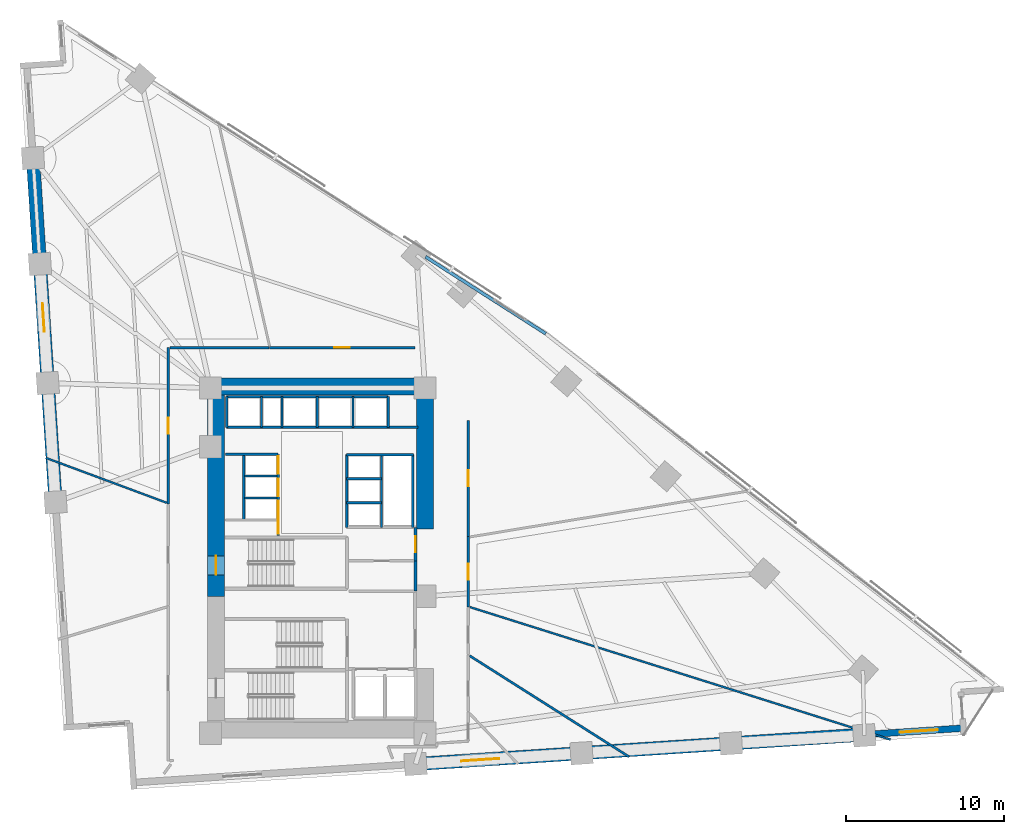
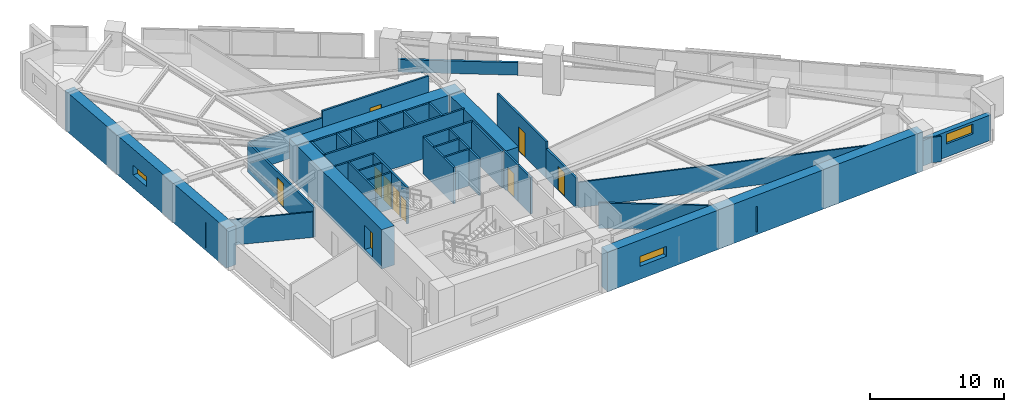
# One storey, part 12 of 15: 37 walls, 10 doors, 3 windows, 13 openings.
"""IFC4 building model written with IfcOpenShell, lengths in metres."""

from ifc_helpers import new_model, si_unit, direction, frame, frame_2d, origin, place, context, subcontext, project, spatial, rectangle, extrude, material, layer, layer_set, type_object, element, fill, save


model = new_model("IFC4")

# Units and contexts
model_context = context("Model", 3, precision=1e-05, world=origin(), true_north=direction((0.0, 1.0)))
body_context = subcontext(model_context, "Body", "Model", "MODEL_VIEW")
ifc_project = project(units=[si_unit("LENGTHUNIT", "METRE"), si_unit("AREAUNIT", "SQUARE_METRE"), si_unit("VOLUMEUNIT", "CUBIC_METRE"), si_unit("PLANEANGLEUNIT", "RADIAN"), si_unit("MASSUNIT", "GRAM", prefix="KILO")], contexts=[model_context])

# Site, building, storey
site_placement = place(None, origin())
site = spatial("IfcSite", under=ifc_project, at=site_placement, CompositionType="ELEMENT")
building_placement = place(site_placement, origin())
building = spatial("IfcBuilding", under=site, at=building_placement, Name="Narakoshi Arena Tower", CompositionType="ELEMENT")
storey_placement = place(building_placement, frame((0.0, 0.0, 70.5)))
storey = spatial("IfcBuildingStorey", under=building, at=storey_placement, Name="L18", CompositionType="ELEMENT", Elevation=70.5)

# Wall, opening, door
ifc_material_1 = material(Name="Concrete C60/75", Category="concrete")
ifc_layer_1 = layer(ifc_material_1, 1.10009765625)
ifc_layer_set_1 = layer_set([ifc_layer_1], Name="Concrete C60/75")
wall_type_1 = type_object("IfcWallType", Name="WL-CORE-1100", PredefinedType="SHEAR", material=ifc_layer_set_1)
wall_1_placement = place(storey_placement, frame((72.35009765625, 43.35009765625, -0.260009765625), z_axis=(0.0, 0.0, 1.0), x_axis=(0.0, 1.0, 0.0)))
wall_1 = element("IfcWall", 1, at=wall_1_placement, inside=storey, type_object=wall_type_1, Name="L18 Main Core Shear Wall CW-MN-W", PredefinedType="SHEAR", context=body_context, shape_type="SweptSolid", body=[
    extrude(rectangle(XDim=12.699951171875, YDim=1.10009765625, at=frame_2d((6.35009765625, 0.0))), origin(), (0.0, 0.0, 1.0), 3.60009765625),
])
opening_1_placement = place(wall_1_placement, frame((1.35009765625, 0.0, 0.260009765625)))
opening_1 = element("IfcOpeningElement", 2, at=opening_1_placement, cuts=wall_1, Name="Opening D-03", PredefinedType="OPENING", context=body_context, shape_type="SweptSolid", body=[
    extrude(rectangle(XDim=1.199951171875, YDim=2.199951171875, at=frame_2d((0.60009765625, 1.10009765625))), frame((0.0, 0.56005859375, 0.0), z_axis=(0.0, -1.0, 0.0), x_axis=(1.0, 0.0, 0.0)), (0.0, 0.0, 1.0), 1.1201171875),
])
ifc_material_2 = material(Name="Painted galvanized steel", Category="steel")
door_type_1 = type_object("IfcDoorType", Name="DR-STR-1200", OperationType="NOTDEFINED", PredefinedType="USERDEFINED", material=ifc_material_2)
door_1_placement = place(opening_1_placement, frame((1.199951171875, 0.0, 0.0), z_axis=(0.0, 0.0, 1.0), x_axis=(-1.0, 0.0, 0.0)))
door_1 = element("IfcDoor", 3, at=door_1_placement, inside=storey, type_object=door_type_1, Name="DR-L18-007", ObjectType="EXITDOOR", OperationType="SINGLE_SWING_LEFT", OverallHeight=2.199951171875, OverallWidth=1.199951171875, PredefinedType="USERDEFINED", context=body_context, shape_type="SweptSolid", body=[
    extrude(rectangle(XDim=1.199951171875, YDim=2.199951171875, at=frame_2d((0.60009765625, 1.10009765625))), frame((0.0, 0.02490234375, 0.0), z_axis=(0.0, -1.0, 0.0), x_axis=(1.0, 0.0, 0.0)), (0.0, 0.0, 1.0), 0.050048828125),
])
fill(opening_1, door_1)

# Walls
wall_2_placement = place(storey_placement, frame((71.800048828125, 56.60009765625, -0.260009765625), z_axis=(0.0, 0.0, 1.0), x_axis=(1.0, 0.0, 0.0)))
element("IfcWall", 4, at=wall_2_placement, inside=storey, type_object=wall_type_1, Name="L18 Main Core Shear Wall CW-MN-N", PredefinedType="SHEAR", context=body_context, shape_type="SweptSolid", body=[
    extrude(rectangle(XDim=14.300048828125, YDim=1.10009765625, at=frame_2d((7.14990234375, 0.0))), origin(), (0.0, 0.0, 1.0), 3.60009765625),
])
wall_3_placement = place(storey_placement, frame((85.550048828125, 47.60009765625, -0.260009765625), z_axis=(0.0, 0.0, 1.0), x_axis=(0.0, 1.0, 0.0)))
element("IfcWall", 5, at=wall_3_placement, inside=storey, type_object=wall_type_1, Name="L18 Main Core Shear Wall CW-MN-E", PredefinedType="SHEAR", context=body_context, shape_type="SweptSolid", body=[
    extrude(rectangle(XDim=8.449951171875, YDim=1.10009765625, at=frame_2d((4.22509765625, 0.0))), origin(), (0.0, 0.0, 1.0), 3.60009765625),
])

# Wall, opening, door
ifc_material_3 = material(Name="Gypsum plasterboard fire-rated partition")
ifc_layer_2 = layer(ifc_material_3, 0.1650390625)
ifc_layer_set_2 = layer_set([ifc_layer_2], Name="Gypsum plasterboard fire-rated partition")
wall_type_2 = type_object("IfcWallType", Name="WL-CORR-165", PredefinedType="PARTITIONING", material=ifc_layer_set_2)
wall_4_placement = place(storey_placement, frame((84.949951171875, 45.580078125, 0.0), z_axis=(0.0, 0.0, 1.0), x_axis=(0.0, 1.0, 0.0)))
wall_4 = element("IfcWall", 6, at=wall_4_placement, inside=storey, type_object=wall_type_2, Name="L18 Core Wall CPAS-E", PredefinedType="PARTITIONING", context=body_context, shape_type="SweptSolid", body=[
    extrude(rectangle(XDim=2.119873046875, YDim=0.1650390625, at=frame_2d((1.06005859375, 0.0))), origin(), (0.0, 0.0, 1.0), 3.340087890625),
])
opening_2_placement = place(wall_4_placement, frame((0.56005859375, 0.0, 0.0)))
opening_2 = element("IfcOpeningElement", 7, at=opening_2_placement, cuts=wall_4, Name="Opening D-06", PredefinedType="OPENING", context=body_context, shape_type="SweptSolid", body=[
    extrude(rectangle(XDim=1.0, YDim=2.199951171875, at=frame_2d((0.5, 1.10009765625))), frame((0.0, 0.092529296875, 0.0), z_axis=(0.0, -1.0, 0.0), x_axis=(1.0, 0.0, 0.0)), (0.0, 0.0, 1.0), 0.18505859375),
])
ifc_material_4 = material(Name="Stained oak solid-core timber", Category="wood")
door_type_2 = type_object("IfcDoorType", Name="DR-OFF-1000", OperationType="NOTDEFINED", PredefinedType="DOOR", material=ifc_material_4)
door_2_placement = place(opening_2_placement, frame((1.0, 0.0, 0.0), z_axis=(0.0, 0.0, 1.0), x_axis=(-1.0, 0.0, 0.0)))
door_2 = element("IfcDoor", 8, at=door_2_placement, inside=storey, type_object=door_type_2, Name="DR-L18-008", OperationType="SINGLE_SWING_LEFT", OverallHeight=2.199951171875, OverallWidth=1.0, PredefinedType="DOOR", context=body_context, shape_type="SweptSolid", body=[
    extrude(rectangle(XDim=1.0, YDim=2.199951171875, at=frame_2d((0.5, 1.10009765625))), frame((0.0, 0.02490234375, 0.0), z_axis=(0.0, -1.0, 0.0), x_axis=(1.0, 0.0, 0.0)), (0.0, 0.0, 1.0), 0.050048828125),
])
fill(opening_2, door_2)

wall_5_placement = place(storey_placement, frame((88.28759765625, 42.66357421875, 0.0), z_axis=(0.0, 0.0, 1.0), x_axis=(0.0, 1.0, 0.0)))
wall_5 = element("IfcWall", 9, at=wall_5_placement, inside=storey, type_object=wall_type_2, Name="L18 Corridor Partition 04-1", PredefinedType="PARTITIONING", context=body_context, shape_type="SweptSolid", body=[
    extrude(rectangle(XDim=4.452392578125, YDim=0.1650390625, at=frame_2d((2.22607421875, 0.0))), origin(), (0.0, 0.0, 1.0), 2.72509765625),
])
opening_3_placement = place(wall_5_placement, frame((1.726318359375, 0.0, 0.0)))
opening_3 = element("IfcOpeningElement", 10, at=opening_3_placement, cuts=wall_5, Name="Opening D-06", PredefinedType="OPENING", context=body_context, shape_type="SweptSolid", body=[
    extrude(rectangle(XDim=1.0, YDim=2.199951171875, at=frame_2d((0.5, 1.10009765625))), frame((0.0, 0.092529296875, 0.0), z_axis=(0.0, -1.0, 0.0), x_axis=(1.0, 0.0, 0.0)), (0.0, 0.0, 1.0), 0.18505859375),
])
door_3_placement = place(opening_3_placement, frame((1.0, 0.0, 0.0), z_axis=(0.0, 0.0, 1.0), x_axis=(-1.0, 0.0, 0.0)))
door_3 = element("IfcDoor", 11, at=door_3_placement, inside=storey, type_object=door_type_2, Name="DR-L18-017", OperationType="SINGLE_SWING_LEFT", OverallHeight=2.199951171875, OverallWidth=1.0, PredefinedType="DOOR", context=body_context, shape_type="SweptSolid", body=[
    extrude(rectangle(XDim=1.0, YDim=2.199951171875, at=frame_2d((0.5, 1.10009765625))), frame((0.0, 0.02490234375, 0.0), z_axis=(0.0, -1.0, 0.0), x_axis=(1.0, 0.0, 0.0)), (0.0, 0.0, 1.0), 0.050048828125),
])
fill(opening_3, door_3)

wall_6_placement = place(storey_placement, frame((88.28759765625, 47.140380859375, 0.0), z_axis=(0.0, 0.0, 1.0), x_axis=(0.0, 1.0, 0.0)))
wall_6 = element("IfcWall", 12, at=wall_6_placement, inside=storey, type_object=wall_type_2, Name="L18 Corridor Partition 06-1", PredefinedType="PARTITIONING", context=body_context, shape_type="SweptSolid", body=[
    extrude(rectangle(XDim=7.320068359375, YDim=0.1650390625, at=frame_2d((3.66015625, 0.0))), origin(), (0.0, 0.0, 1.0), 3.340087890625),
])
opening_4_placement = place(wall_6_placement, frame((3.16015625, 0.0, 0.0)))
opening_4 = element("IfcOpeningElement", 13, at=opening_4_placement, cuts=wall_6, Name="Opening D-06", PredefinedType="OPENING", context=body_context, shape_type="SweptSolid", body=[
    extrude(rectangle(XDim=1.0, YDim=2.199951171875, at=frame_2d((0.5, 1.10009765625))), frame((0.0, 0.092529296875, 0.0), z_axis=(0.0, -1.0, 0.0), x_axis=(1.0, 0.0, 0.0)), (0.0, 0.0, 1.0), 0.18505859375),
])
door_4_placement = place(opening_4_placement, frame((1.0, 0.0, 0.0), z_axis=(0.0, 0.0, 1.0), x_axis=(-1.0, 0.0, 0.0)))
door_4 = element("IfcDoor", 14, at=door_4_placement, inside=storey, type_object=door_type_2, Name="DR-L18-019", OperationType="SINGLE_SWING_LEFT", OverallHeight=2.199951171875, OverallWidth=1.0, PredefinedType="DOOR", context=body_context, shape_type="SweptSolid", body=[
    extrude(rectangle(XDim=1.0, YDim=2.199951171875, at=frame_2d((0.5, 1.10009765625))), frame((0.0, 0.02490234375, 0.0), z_axis=(0.0, -1.0, 0.0), x_axis=(1.0, 0.0, 0.0)), (0.0, 0.0, 1.0), 0.050048828125),
])
fill(opening_4, door_4)

wall_7_placement = place(storey_placement, frame((84.90673828125, 59.06005859375, 0.0), z_axis=(0.0, 0.0, 1.0), x_axis=(-1.0, 0.0, 0.0)))
wall_7 = element("IfcWall", 15, at=wall_7_placement, inside=storey, type_object=wall_type_2, Name="L18 Corridor Partition 07-1", PredefinedType="PARTITIONING", context=body_context, shape_type="SweptSolid", body=[
    extrude(rectangle(XDim=9.189453125, YDim=0.1650390625, at=frame_2d((4.5947265625, 0.0))), origin(), (0.0, 0.0, 1.0), 3.340087890625),
])
opening_5_placement = place(wall_7_placement, frame((4.0947265625, 0.0, 0.0)))
opening_5 = element("IfcOpeningElement", 16, at=opening_5_placement, cuts=wall_7, Name="Opening D-06", PredefinedType="OPENING", context=body_context, shape_type="SweptSolid", body=[
    extrude(rectangle(XDim=1.0, YDim=2.199951171875, at=frame_2d((0.5, 1.10009765625))), frame((0.0, 0.092529296875, 0.0), z_axis=(0.0, -1.0, 0.0), x_axis=(1.0, 0.0, 0.0)), (0.0, 0.0, 1.0), 0.18505859375),
])
door_5_placement = place(opening_5_placement, frame((1.0, 0.0, 0.0), z_axis=(0.0, 0.0, 1.0), x_axis=(-1.0, 0.0, 0.0)))
door_5 = element("IfcDoor", 17, at=door_5_placement, inside=storey, type_object=door_type_2, Name="DR-L18-020", OperationType="SINGLE_SWING_RIGHT", OverallHeight=2.199951171875, OverallWidth=1.0, PredefinedType="DOOR", context=body_context, shape_type="SweptSolid", body=[
    extrude(rectangle(XDim=1.0, YDim=2.199951171875, at=frame_2d((0.5, 1.10009765625))), frame((0.0, 0.02490234375, 0.0), z_axis=(0.0, -1.0, 0.0), x_axis=(1.0, 0.0, 0.0)), (0.0, 0.0, 1.0), 0.050048828125),
])
fill(opening_5, door_5)

wall_8_placement = place(storey_placement, frame((69.340087890625, 59.06005859375, 0.0), z_axis=(0.0, 0.0, 1.0), x_axis=(0.0, -1.0, 0.0)))
wall_8 = element("IfcWall", 18, at=wall_8_placement, inside=storey, type_object=wall_type_2, Name="L18 Corridor Partition 08-1", PredefinedType="PARTITIONING", context=body_context, shape_type="SweptSolid", body=[
    extrude(rectangle(XDim=9.882080078125, YDim=0.1650390625, at=frame_2d((4.94091796875, 0.0))), origin(), (0.0, 0.0, 1.0), 2.72509765625),
])
opening_6_placement = place(wall_8_placement, frame((4.44091796875, 0.0, 0.0)))
opening_6 = element("IfcOpeningElement", 19, at=opening_6_placement, cuts=wall_8, Name="Opening D-06", PredefinedType="OPENING", context=body_context, shape_type="SweptSolid", body=[
    extrude(rectangle(XDim=1.0, YDim=2.199951171875, at=frame_2d((0.5, 1.10009765625))), frame((0.0, 0.092529296875, 0.0), z_axis=(0.0, -1.0, 0.0), x_axis=(1.0, 0.0, 0.0)), (0.0, 0.0, 1.0), 0.18505859375),
])
door_6_placement = place(opening_6_placement, frame((1.0, 0.0, 0.0), z_axis=(0.0, 0.0, 1.0), x_axis=(-1.0, 0.0, 0.0)))
door_6 = element("IfcDoor", 20, at=door_6_placement, inside=storey, type_object=door_type_2, Name="DR-L18-021", OperationType="SINGLE_SWING_LEFT", OverallHeight=2.199951171875, OverallWidth=1.0, PredefinedType="DOOR", context=body_context, shape_type="SweptSolid", body=[
    extrude(rectangle(XDim=1.0, YDim=2.199951171875, at=frame_2d((0.5, 1.10009765625))), frame((0.0, 0.02490234375, 0.0), z_axis=(0.0, -1.0, 0.0), x_axis=(1.0, 0.0, 0.0)), (0.0, 0.0, 1.0), 0.050048828125),
])
fill(opening_6, door_6)

# Wall
wall_9_placement = place(storey_placement, frame((75.692626953125, 59.06005859375, 0.0), z_axis=(0.0, 0.0, 1.0), x_axis=(-1.0, 0.0, 0.0)))
element("IfcWall", 21, at=wall_9_placement, inside=storey, type_object=wall_type_2, Name="L18 Corridor Partition 08-2", PredefinedType="PARTITIONING", context=body_context, shape_type="SweptSolid", body=[
    extrude(rectangle(XDim=6.258056640625, YDim=0.1650390625, at=frame_2d((3.12890625, 0.0))), origin(), (0.0, 0.0, 1.0), 2.72509765625),
])

# Wall, opening, window
ifc_layer_3 = layer(ifc_material_1, 0.85009765625)
ifc_layer_set_3 = layer_set([ifc_layer_3], Name="Concrete C60/75")
wall_type_3 = type_object("IfcWallType", Name="WL-LEG-850", PredefinedType="SHEAR", material=ifc_layer_set_3)
wall_10_placement = place(storey_placement, frame((84.95703125, 32.7509765625, -0.260009765625), z_axis=(0.0, 0.0, 1.0), x_axis=(0.997859046449, 0.065401249368, 0.0)))
wall_10 = element("IfcWall", 22, at=wall_10_placement, inside=storey, type_object=wall_type_3, Name="L18 Architectural Concrete Structural Wall LEGA-2", PredefinedType="SHEAR", context=body_context, shape_type="SweptSolid", body=[
    extrude(rectangle(XDim=28.400390625, YDim=0.85009765625, at=frame_2d((14.2001953125, 0.0))), origin(), (0.0, 0.0, 1.0), 3.60009765625),
])
opening_7_placement = place(wall_10_placement, frame((2.89990234375, 0.0, 1.199951171875)))
opening_7 = element("IfcOpeningElement", 23, at=opening_7_placement, cuts=wall_10, Name="Opening WN-01", PredefinedType="OPENING", context=body_context, shape_type="SweptSolid", body=[
    extrude(rectangle(XDim=2.39990234375, YDim=0.89990234375, at=frame_2d((1.199951171875, 0.449951171875))), frame((0.0, 0.43505859375, 0.0), z_axis=(0.0, -1.0, 0.0), x_axis=(1.0, 0.0, 0.0)), (0.0, 0.0, 1.0), 0.8701171875),
])
ifc_material_5 = material(Name="Bronze-tinted low-E laminated glass", Category="glass")
window_type_1 = type_object("IfcWindowType", Name="WIN-SLT-24x09", PartitioningType="SINGLE_PANEL", PredefinedType="WINDOW", material=ifc_material_5)
window_1_placement = place(opening_7_placement, origin())
window_1 = element("IfcWindow", 24, at=window_1_placement, inside=storey, type_object=window_type_1, Name="L18 LEGA2 Horizontal Slot Window 1", OverallHeight=0.89990234375, OverallWidth=2.39990234375, PartitioningType="SINGLE_PANEL", PredefinedType="WINDOW", context=body_context, shape_type="SweptSolid", body=[
    extrude(rectangle(XDim=2.39990234375, YDim=0.89990234375, at=frame_2d((1.199951171875, 0.449951171875))), frame((0.0, 0.030029296875, 0.0), z_axis=(0.0, -1.0, 0.0), x_axis=(1.0, 0.0, 0.0)), (0.0, 0.0, 1.0), 0.06005859375),
])
fill(opening_7, window_1)

wall_11_placement = place(storey_placement, frame((60.785400390625, 71.031005859375, -0.260009765625), z_axis=(0.0, 0.0, 1.0), x_axis=(0.065409824833, -0.997858484363, 0.0)))
wall_11 = element("IfcWall", 25, at=wall_11_placement, inside=storey, type_object=wall_type_3, Name="L18 Architectural Concrete Structural Wall LEGB-2", PredefinedType="SHEAR", context=body_context, shape_type="SweptSolid", body=[
    extrude(rectangle(XDim=21.78271484375, YDim=0.85009765625, at=frame_2d((10.891357421875, 0.0))), origin(), (0.0, 0.0, 1.0), 3.60009765625),
])
opening_8_placement = place(wall_11_placement, frame((9.199951171875, 0.0, 1.199951171875)))
opening_8 = element("IfcOpeningElement", 26, at=opening_8_placement, cuts=wall_11, Name="Opening WN-02", PredefinedType="OPENING", context=body_context, shape_type="SweptSolid", body=[
    extrude(rectangle(XDim=1.800048828125, YDim=0.89990234375, at=frame_2d((0.89990234375, 0.449951171875))), frame((0.0, 0.43505859375, 0.0), z_axis=(0.0, -1.0, 0.0), x_axis=(1.0, 0.0, 0.0)), (0.0, 0.0, 1.0), 0.8701171875),
])
window_type_2 = type_object("IfcWindowType", Name="WIN-SLT-18x09", PartitioningType="SINGLE_PANEL", PredefinedType="WINDOW", material=ifc_material_5)
window_2_placement = place(opening_8_placement, origin())
window_2 = element("IfcWindow", 27, at=window_2_placement, inside=storey, type_object=window_type_2, Name="L18 LEGB2 Horizontal Slot Window 1", OverallHeight=0.89990234375, OverallWidth=1.800048828125, PartitioningType="SINGLE_PANEL", PredefinedType="WINDOW", context=body_context, shape_type="SweptSolid", body=[
    extrude(rectangle(XDim=1.800048828125, YDim=0.89990234375, at=frame_2d((0.89990234375, 0.449951171875))), frame((0.0, 0.030029296875, 0.0), z_axis=(0.0, -1.0, 0.0), x_axis=(1.0, 0.0, 0.0)), (0.0, 0.0, 1.0), 0.06005859375),
])
fill(opening_8, window_2)

# Walls
ifc_material_6 = material(Name="Precast concrete C45/55", Category="concrete")
ifc_layer_4 = layer(ifc_material_6, 0.25)
ifc_layer_set_4 = layer_set([ifc_layer_4], Name="Precast concrete C45/55")
wall_type_4 = type_object("IfcWallType", Name="WL-PARA-250", PredefinedType="PARAPET", material=ifc_layer_set_4)
wall_12_placement = place(storey_placement, frame((93.176025390625, 59.93896484375, 0.0), z_axis=(0.0, 0.0, 1.0), x_axis=(-0.842413081081, 0.538832256666, 0.0)))
element("IfcWall", 28, at=wall_12_placement, inside=storey, type_object=wall_type_4, Name="L18 Hypotenuse Sill Upstand Parapet 2-01", PredefinedType="PARAPET", context=body_context, shape_type="SweptSolid", body=[
    extrude(rectangle(XDim=9.010986328125, YDim=0.199951171875, at=frame_2d((4.50537109375, 0.0))), origin(), (0.0, 0.0, 1.0), 1.14990234375),
])
ifc_layer_5 = layer(ifc_material_3, 0.125)
ifc_layer_set_5 = layer_set([ifc_layer_5], Name="Gypsum plasterboard fire-rated partition")
wall_type_5 = type_object("IfcWallType", Name="WL-PART-125", PredefinedType="PARTITIONING", material=ifc_layer_set_5)
wall_13_placement = place(storey_placement, frame((114.960693359375, 34.29150390625, 0.0), z_axis=(0.0, 0.0, 1.0), x_axis=(-0.953750406016, 0.300599672361, 0.0)))
element("IfcWall", 29, at=wall_13_placement, inside=storey, type_object=wall_type_5, Name="L18 Inter-Room Partition 04-05", PredefinedType="PARTITIONING", context=body_context, shape_type="SweptSolid", body=[
    extrude(rectangle(XDim=27.867431640625, YDim=0.125, at=frame_2d((13.93359375, 0.0))), origin(), (0.0, 0.0, 1.0), 2.324951171875),
])
wall_14_placement = place(storey_placement, frame((69.24560546875, 49.251708984375, 0.0), z_axis=(0.0, 0.0, 1.0), x_axis=(-0.937391487393, 0.34827747467, 0.0)))
element("IfcWall", 30, at=wall_14_placement, inside=storey, type_object=wall_type_5, Name="L18 Inter-Room Partition 08-09", PredefinedType="PARTITIONING", context=body_context, shape_type="SweptSolid", body=[
    extrude(rectangle(XDim=8.1552734375, YDim=0.125, at=frame_2d((4.07763671875, 0.0))), origin(), (0.0, 0.0, 1.0), 2.324951171875),
])

# Wall, opening, window
ifc_layer_6 = layer(ifc_material_6, 0.419921875)
ifc_layer_set_6 = layer_set([ifc_layer_6], Name="Precast concrete C45/55")
wall_type_6 = type_object("IfcWallType", Name="WL-POD-420", PredefinedType="SOLIDWALL", material=ifc_layer_set_6)
wall_15_placement = place(storey_placement, frame((113.296630859375, 34.6083984375, 0.0), z_axis=(0.0, 0.0, 1.0), x_axis=(0.997857907016, 0.065418631945, 0.0)))
wall_15 = element("IfcWall", 31, at=wall_15_placement, inside=storey, type_object=wall_type_6, Name="L18 Architectural Concrete Facade Wall LEGA-3", PredefinedType="SOLIDWALL", context=body_context, shape_type="SweptSolid", body=[
    extrude(rectangle(XDim=6.2734375, YDim=0.419921875, at=frame_2d((3.13671875, 0.0))), origin(), (0.0, 0.0, 1.0), 2.324951171875),
])
opening_9_placement = place(wall_15_placement, frame((2.25341796875, 0.0, 1.199951171875)))
opening_9 = element("IfcOpeningElement", 32, at=opening_9_placement, cuts=wall_15, Name="Opening WN-01", PredefinedType="OPENING", context=body_context, shape_type="SweptSolid", body=[
    extrude(rectangle(XDim=2.39990234375, YDim=0.89990234375, at=frame_2d((1.199951171875, 0.449951171875))), frame((0.0, 0.219970703125, 0.0), z_axis=(0.0, -1.0, 0.0), x_axis=(1.0, 0.0, 0.0)), (0.0, 0.0, 1.0), 0.43994140625),
])
window_3_placement = place(opening_9_placement, origin())
window_3 = element("IfcWindow", 33, at=window_3_placement, inside=storey, type_object=window_type_1, Name="L18 LEGA3 Horizontal Slot Window 1", OverallHeight=0.89990234375, OverallWidth=2.39990234375, PartitioningType="SINGLE_PANEL", PredefinedType="WINDOW", context=body_context, shape_type="SweptSolid", body=[
    extrude(rectangle(XDim=2.39990234375, YDim=0.89990234375, at=frame_2d((1.199951171875, 0.449951171875))), frame((0.0, 0.030029296875, 0.0), z_axis=(0.0, -1.0, 0.0), x_axis=(1.0, 0.0, 0.0)), (0.0, 0.0, 1.0), 0.06005859375),
])
fill(opening_9, window_3)

# Walls
ifc_material_7 = material(Name="Concrete C40/50", Category="concrete")
ifc_layer_7 = layer(ifc_material_7, 0.280029296875)
ifc_layer_set_7 = layer_set([ifc_layer_7], Name="Concrete C40/50")
wall_type_7 = type_object("IfcWallType", Name="WL-RISER-280", PredefinedType="PLUMBINGWALL", material=ifc_layer_set_7)
wall_16_placement = place(storey_placement, frame((84.949951171875, 43.679931640625, 0.0), z_axis=(0.0, 0.0, 1.0), x_axis=(0.0, 1.0, 0.0)))
element("IfcWall", 34, at=wall_16_placement, inside=storey, type_object=wall_type_7, Name="L18 Core Wall RSR-E", PredefinedType="PLUMBINGWALL", context=body_context, shape_type="SweptSolid", body=[
    extrude(rectangle(XDim=1.900146484375, YDim=0.1650390625, at=frame_2d((0.9501953125, 0.0))), origin(), (0.0, 0.0, 1.0), 3.340087890625),
])
for number, where, z_axis, x_axis, name in (
    (35, (74.14990234375, 49.550048828125, 0.0), (0.0, 0.0, 1.0), (1.0, 0.0, 0.0), "L18 Core Wall LR-D1"),
    (36, (74.14990234375, 50.949951171875, 0.0), (0.0, 0.0, 1.0), (1.0, 0.0, 0.0), "L18 Core Wall LR-D2"),
):
    element("IfcWall", number, at=place(storey_placement, frame(where, z_axis=z_axis, x_axis=x_axis)), inside=storey, type_object=wall_type_7, Name=name, PredefinedType="PLUMBINGWALL", context=body_context, shape_type="SweptSolid", body=[
        extrude(rectangle(XDim=2.0400390625, YDim=0.139892578125, at=frame_2d((1.02001953125, 0.0))), origin(), (0.0, 0.0, 1.0), 3.340087890625),
    ])
wall_17_placement = place(storey_placement, frame((74.10009765625, 48.159912109375, 0.0), z_axis=(0.0, 0.0, 1.0), x_axis=(0.0, 1.0, 0.0)))
element("IfcWall", 37, at=wall_17_placement, inside=storey, type_object=wall_type_7, Name="L18 Core Wall LR-W", PredefinedType="PLUMBINGWALL", context=body_context, shape_type="SweptSolid", body=[
    extrude(rectangle(XDim=4.16015625, YDim=0.139892578125, at=frame_2d((2.080078125, 0.0))), origin(), (0.0, 0.0, 1.0), 3.340087890625),
])
for number, where, z_axis, x_axis, name in (
    (38, (80.60009765625, 49.260009765625, 0.0), (0.0, 0.0, 1.0), (1.0, 0.0, 0.0), "L18 Core Wall MR-D1"),
    (39, (80.60009765625, 50.780029296875, 0.0), (0.0, 0.0, 1.0), (1.0, 0.0, 0.0), "L18 Core Wall MR-D2"),
):
    element("IfcWall", number, at=place(storey_placement, frame(where, z_axis=z_axis, x_axis=x_axis)), inside=storey, type_object=wall_type_7, Name=name, PredefinedType="PLUMBINGWALL", context=body_context, shape_type="SweptSolid", body=[
        extrude(rectangle(XDim=2.199951171875, YDim=0.14990234375, at=frame_2d((1.10009765625, 0.0))), origin(), (0.0, 0.0, 1.0), 3.340087890625),
    ])
wall_18_placement = place(storey_placement, frame((82.800048828125, 47.699951171875, 0.0), z_axis=(0.0, 0.0, 1.0), x_axis=(0.0, 1.0, 0.0)))
element("IfcWall", 40, at=wall_18_placement, inside=storey, type_object=wall_type_7, Name="L18 Core Wall MR-E", PredefinedType="PLUMBINGWALL", context=body_context, shape_type="SweptSolid", body=[
    extrude(rectangle(XDim=4.60009765625, YDim=0.14990234375, at=frame_2d((2.300048828125, 0.0))), origin(), (0.0, 0.0, 1.0), 3.340087890625),
])
for number, where, z_axis, x_axis, name in (
    (41, (73.02001953125, 54.02001953125, 0.0), (0.0, 0.0, 1.0), (0.0, 1.0, 0.0), "L18 Core Wall OBS-W"),
    (42, (75.219970703125, 54.02001953125, 0.0), (0.0, 0.0, 1.0), (0.0, 1.0, 0.0), "L18 Core Wall OBS-M"),
):
    element("IfcWall", number, at=place(storey_placement, frame(where, z_axis=z_axis, x_axis=x_axis)), inside=storey, type_object=wall_type_7, Name=name, PredefinedType="PLUMBINGWALL", context=body_context, shape_type="SweptSolid", body=[
        extrude(rectangle(XDim=1.93994140625, YDim=0.14990234375, at=frame_2d((0.969970703125, 0.0))), origin(), (0.0, 0.0, 1.0), 3.340087890625),
    ])
for number, where, z_axis, x_axis, name in (
    (43, (78.75, 54.02001953125, 0.0), (0.0, 0.0, 1.0), (0.0, 1.0, 0.0), "L18 Core Wall HR-D1"),
    (44, (81.0, 54.02001953125, 0.0), (0.0, 0.0, 1.0), (0.0, 1.0, 0.0), "L18 Core Wall HR-D2"),
):
    element("IfcWall", number, at=place(storey_placement, frame(where, z_axis=z_axis, x_axis=x_axis)), inside=storey, type_object=wall_type_7, Name=name, PredefinedType="PLUMBINGWALL", context=body_context, shape_type="SweptSolid", body=[
        extrude(rectangle(XDim=1.9599609375, YDim=0.14990234375, at=frame_2d((0.97998046875, 0.0))), origin(), (0.0, 0.0, 1.0), 3.340087890625),
    ])

# Wall, openings, doors
ifc_material_8 = material(Name="Concrete C50/60", Category="concrete")
ifc_layer_8 = layer(ifc_material_8, 0.35009765625)
ifc_layer_set_8 = layer_set([ifc_layer_8], Name="Concrete C50/60")
wall_type_8 = type_object("IfcWallType", Name="WL-SHAFT-350", PredefinedType="SOLIDWALL", material=ifc_layer_set_8)
wall_19_placement = place(storey_placement, frame((76.280029296875, 47.179931640625, 0.0), z_axis=(0.0, 0.0, 1.0), x_axis=(0.0, 1.0, 0.0)))
wall_19 = element("IfcWall", 45, at=wall_19_placement, inside=storey, type_object=wall_type_8, Name="L18 Core Wall LR-E", PredefinedType="SOLIDWALL", context=body_context, shape_type="SweptSolid", body=[
    extrude(rectangle(XDim=5.14013671875, YDim=0.159912109375, at=frame_2d((2.570068359375, 0.0))), origin(), (0.0, 0.0, 1.0), 3.340087890625),
])
opening_10_placement = place(wall_19_placement, frame((1.10009765625, 0.0, 0.0)))
opening_10 = element("IfcOpeningElement", 46, at=opening_10_placement, cuts=wall_19, Name="Opening LD-01", PredefinedType="OPENING", context=body_context, shape_type="SweptSolid", body=[
    extrude(rectangle(XDim=1.10009765625, YDim=2.25, at=frame_2d((0.550048828125, 1.125))), frame((0.0, 0.08984375, 0.0), z_axis=(0.0, -1.0, 0.0), x_axis=(1.0, 0.0, 0.0)), (0.0, 0.0, 1.0), 0.179931640625),
])
opening_11_placement = place(wall_19_placement, frame((2.5, 0.0, 0.0)))
opening_11 = element("IfcOpeningElement", 47, at=opening_11_placement, cuts=wall_19, Name="Opening LD-01", PredefinedType="OPENING", context=body_context, shape_type="SweptSolid", body=[
    extrude(rectangle(XDim=1.10009765625, YDim=2.25, at=frame_2d((0.550048828125, 1.125))), frame((0.0, 0.08984375, 0.0), z_axis=(0.0, -1.0, 0.0), x_axis=(1.0, 0.0, 0.0)), (0.0, 0.0, 1.0), 0.179931640625),
])
opening_12_placement = place(wall_19_placement, frame((3.89990234375, 0.0, 0.0)))
opening_12 = element("IfcOpeningElement", 48, at=opening_12_placement, cuts=wall_19, Name="Opening LD-01", PredefinedType="OPENING", context=body_context, shape_type="SweptSolid", body=[
    extrude(rectangle(XDim=1.10009765625, YDim=2.25, at=frame_2d((0.550048828125, 1.125))), frame((0.0, 0.08984375, 0.0), z_axis=(0.0, -1.0, 0.0), x_axis=(1.0, 0.0, 0.0)), (0.0, 0.0, 1.0), 0.179931640625),
])
opening_13_placement = place(wall_19_placement, frame((0.1201171875, 0.0, 0.0)))
opening_13 = element("IfcOpeningElement", 49, at=opening_13_placement, cuts=wall_19, Name="Opening D-10", PredefinedType="OPENING", context=body_context, shape_type="SweptSolid", body=[
    extrude(rectangle(XDim=0.85009765625, YDim=2.050048828125, at=frame_2d((0.425048828125, 1.02490234375))), frame((0.0, 0.08984375, 0.0), z_axis=(0.0, -1.0, 0.0), x_axis=(1.0, 0.0, 0.0)), (0.0, 0.0, 1.0), 0.179931640625),
])
ifc_material_9 = material(Name="Brushed bronze stainless steel", Category="steel")
door_type_3 = type_object("IfcDoorType", Name="DR-LFT-1100", OperationType="DOUBLE_DOOR_SLIDING", PredefinedType="DOOR", material=ifc_material_9)
door_7_placement = place(opening_10_placement, origin())
door_7 = element("IfcDoor", 50, at=door_7_placement, inside=storey, type_object=door_type_3, Name="DR-L18-010", OperationType="DOUBLE_DOOR_SLIDING", OverallHeight=2.25, OverallWidth=1.10009765625, PredefinedType="DOOR", context=body_context, shape_type="SweptSolid", body=[
    extrude(rectangle(XDim=1.10009765625, YDim=2.25, at=frame_2d((0.550048828125, 1.125))), frame((0.0, 0.02490234375, 0.0), z_axis=(0.0, -1.0, 0.0), x_axis=(1.0, 0.0, 0.0)), (0.0, 0.0, 1.0), 0.050048828125),
])
fill(opening_10, door_7)
door_8_placement = place(opening_11_placement, origin())
door_8 = element("IfcDoor", 51, at=door_8_placement, inside=storey, type_object=door_type_3, Name="DR-L18-011", OperationType="DOUBLE_DOOR_SLIDING", OverallHeight=2.25, OverallWidth=1.10009765625, PredefinedType="DOOR", context=body_context, shape_type="SweptSolid", body=[
    extrude(rectangle(XDim=1.10009765625, YDim=2.25, at=frame_2d((0.550048828125, 1.125))), frame((0.0, 0.02490234375, 0.0), z_axis=(0.0, -1.0, 0.0), x_axis=(1.0, 0.0, 0.0)), (0.0, 0.0, 1.0), 0.050048828125),
])
fill(opening_11, door_8)
door_9_placement = place(opening_12_placement, origin())
door_9 = element("IfcDoor", 52, at=door_9_placement, inside=storey, type_object=door_type_3, Name="DR-L18-012", OperationType="DOUBLE_DOOR_SLIDING", OverallHeight=2.25, OverallWidth=1.10009765625, PredefinedType="DOOR", context=body_context, shape_type="SweptSolid", body=[
    extrude(rectangle(XDim=1.10009765625, YDim=2.25, at=frame_2d((0.550048828125, 1.125))), frame((0.0, 0.02490234375, 0.0), z_axis=(0.0, -1.0, 0.0), x_axis=(1.0, 0.0, 0.0)), (0.0, 0.0, 1.0), 0.050048828125),
])
fill(opening_12, door_9)
door_type_4 = type_object("IfcDoorType", Name="DR-RSR-850", OperationType="NOTDEFINED", PredefinedType="DOOR", material=ifc_material_2)
door_10_placement = place(opening_13_placement, frame((0.85009765625, 0.0, 0.0), z_axis=(0.0, 0.0, 1.0), x_axis=(-1.0, 0.0, 0.0)))
door_10 = element("IfcDoor", 53, at=door_10_placement, inside=storey, type_object=door_type_4, Name="DR-L18-013", OperationType="SINGLE_SWING_LEFT", OverallHeight=2.050048828125, OverallWidth=0.85009765625, PredefinedType="DOOR", context=body_context, shape_type="SweptSolid", body=[
    extrude(rectangle(XDim=0.85009765625, YDim=2.050048828125, at=frame_2d((0.425048828125, 1.02490234375))), frame((0.0, 0.02490234375, 0.0), z_axis=(0.0, -1.0, 0.0), x_axis=(1.0, 0.0, 0.0)), (0.0, 0.0, 1.0), 0.050048828125),
])
fill(opening_13, door_10)

# Walls
wall_20_placement = place(storey_placement, frame((72.949951171875, 52.320068359375, 0.0), z_axis=(0.0, 0.0, 1.0), x_axis=(1.0, 0.0, 0.0)))
element("IfcWall", 54, at=wall_20_placement, inside=storey, type_object=wall_type_8, Name="L18 Core Wall LR-N", PredefinedType="SOLIDWALL", context=body_context, shape_type="SweptSolid", body=[
    extrude(rectangle(XDim=3.330078125, YDim=0.14990234375, at=frame_2d((1.6650390625, 0.0))), origin(), (0.0, 0.0, 1.0), 3.340087890625),
])
wall_21_placement = place(storey_placement, frame((80.60009765625, 47.699951171875, 0.0), z_axis=(0.0, 0.0, 1.0), x_axis=(0.0, 1.0, 0.0)))
element("IfcWall", 55, at=wall_21_placement, inside=storey, type_object=wall_type_8, Name="L18 Core Wall MR-W", PredefinedType="SOLIDWALL", context=body_context, shape_type="SweptSolid", body=[
    extrude(rectangle(XDim=4.60009765625, YDim=0.159912109375, at=frame_2d((2.300048828125, 0.0))), origin(), (0.0, 0.0, 1.0), 3.340087890625),
])
wall_22_placement = place(storey_placement, frame((80.60009765625, 52.300048828125, 0.0), z_axis=(0.0, 0.0, 1.0), x_axis=(1.0, 0.0, 0.0)))
element("IfcWall", 56, at=wall_22_placement, inside=storey, type_object=wall_type_8, Name="L18 Core Wall MR-N", PredefinedType="SOLIDWALL", context=body_context, shape_type="SweptSolid", body=[
    extrude(rectangle(XDim=4.219970703125, YDim=0.159912109375, at=frame_2d((2.10986328125, 0.0))), origin(), (0.0, 0.0, 1.0), 3.340087890625),
])
wall_23_placement = place(storey_placement, frame((84.780029296875, 47.699951171875, 0.0), z_axis=(0.0, 0.0, 1.0), x_axis=(0.0, 1.0, 0.0)))
element("IfcWall", 57, at=wall_23_placement, inside=storey, type_object=wall_type_8, Name="L18 Core Wall MR-E2", PredefinedType="SOLIDWALL", context=body_context, shape_type="SweptSolid", body=[
    extrude(rectangle(XDim=4.60009765625, YDim=0.159912109375, at=frame_2d((2.300048828125, 0.0))), origin(), (0.0, 0.0, 1.0), 3.340087890625),
])
wall_24_placement = place(storey_placement, frame((73.02001953125, 54.02001953125, 0.0), z_axis=(0.0, 0.0, 1.0), x_axis=(1.0, 0.0, 0.0)))
element("IfcWall", 58, at=wall_24_placement, inside=storey, type_object=wall_type_8, Name="L18 Core Wall NSHF-S", PredefinedType="SOLIDWALL", context=body_context, shape_type="SweptSolid", body=[
    extrude(rectangle(XDim=12.080078125, YDim=0.159912109375, at=frame_2d((6.0400390625, 0.0))), origin(), (0.0, 0.0, 1.0), 3.340087890625),
])
wall_25_placement = place(storey_placement, frame((73.02001953125, 55.9599609375, 0.0), z_axis=(0.0, 0.0, 1.0), x_axis=(1.0, 0.0, 0.0)))
element("IfcWall", 59, at=wall_25_placement, inside=storey, type_object=wall_type_8, Name="L18 Core Wall OBS-N", PredefinedType="SOLIDWALL", context=body_context, shape_type="SweptSolid", body=[
    extrude(rectangle(XDim=3.5, YDim=0.14990234375, at=frame_2d((1.75, 0.0))), origin(), (0.0, 0.0, 1.0), 3.340087890625),
])
wall_26_placement = place(storey_placement, frame((76.52001953125, 54.02001953125, 0.0), z_axis=(0.0, 0.0, 1.0), x_axis=(0.0, 1.0, 0.0)))
element("IfcWall", 60, at=wall_26_placement, inside=storey, type_object=wall_type_8, Name="L18 Core Wall OBS-E", PredefinedType="SOLIDWALL", context=body_context, shape_type="SweptSolid", body=[
    extrude(rectangle(XDim=1.93994140625, YDim=0.14990234375, at=frame_2d((0.969970703125, 0.0))), origin(), (0.0, 0.0, 1.0), 3.340087890625),
])
wall_27_placement = place(storey_placement, frame((83.219970703125, 54.02001953125, 0.0), z_axis=(0.0, 0.0, 1.0), x_axis=(0.0, 1.0, 0.0)))
element("IfcWall", 61, at=wall_27_placement, inside=storey, type_object=wall_type_8, Name="L18 Core Wall HR-E", PredefinedType="SOLIDWALL", context=body_context, shape_type="SweptSolid", body=[
    extrude(rectangle(XDim=1.9599609375, YDim=0.14990234375, at=frame_2d((0.97998046875, 0.0))), origin(), (0.0, 0.0, 1.0), 3.340087890625),
])
wall_28_placement = place(storey_placement, frame((76.52001953125, 55.9599609375, 0.0), z_axis=(0.0, 0.0, 1.0), x_axis=(1.0, 0.0, 0.0)))
element("IfcWall", 62, at=wall_28_placement, inside=storey, type_object=wall_type_8, Name="L18 Core Wall HR-N", PredefinedType="SOLIDWALL", context=body_context, shape_type="SweptSolid", body=[
    extrude(rectangle(XDim=6.699951171875, YDim=0.14990234375, at=frame_2d((3.35009765625, 0.0))), origin(), (0.0, 0.0, 1.0), 3.340087890625),
])
ifc_material_10 = material(Name="Moisture-resistant cement-board partition")
ifc_layer_9 = layer(ifc_material_10, 0.14501953125)
ifc_layer_set_9 = layer_set([ifc_layer_9], Name="Moisture-resistant cement-board partition")
wall_type_9 = type_object("IfcWallType", Name="WL-WET-145", PredefinedType="PARTITIONING", material=ifc_layer_set_9)
wall_29_placement = place(storey_placement, frame((88.3720703125, 39.59228515625, 0.0), z_axis=(0.0, 0.0, 1.0), x_axis=(0.844706784155, -0.535229342248, 0.0)))
element("IfcWall", 63, at=wall_29_placement, inside=storey, type_object=wall_type_9, Name="L18 Inter-Room Partition 03-05", PredefinedType="PARTITIONING", context=body_context, shape_type="SweptSolid", body=[
    extrude(rectangle(XDim=11.92626953125, YDim=0.14501953125, at=frame_2d((5.963134765625, 0.0))), origin(), (0.0, 0.0, 1.0), 2.324951171875),
])

save(model, "model.ifc")
